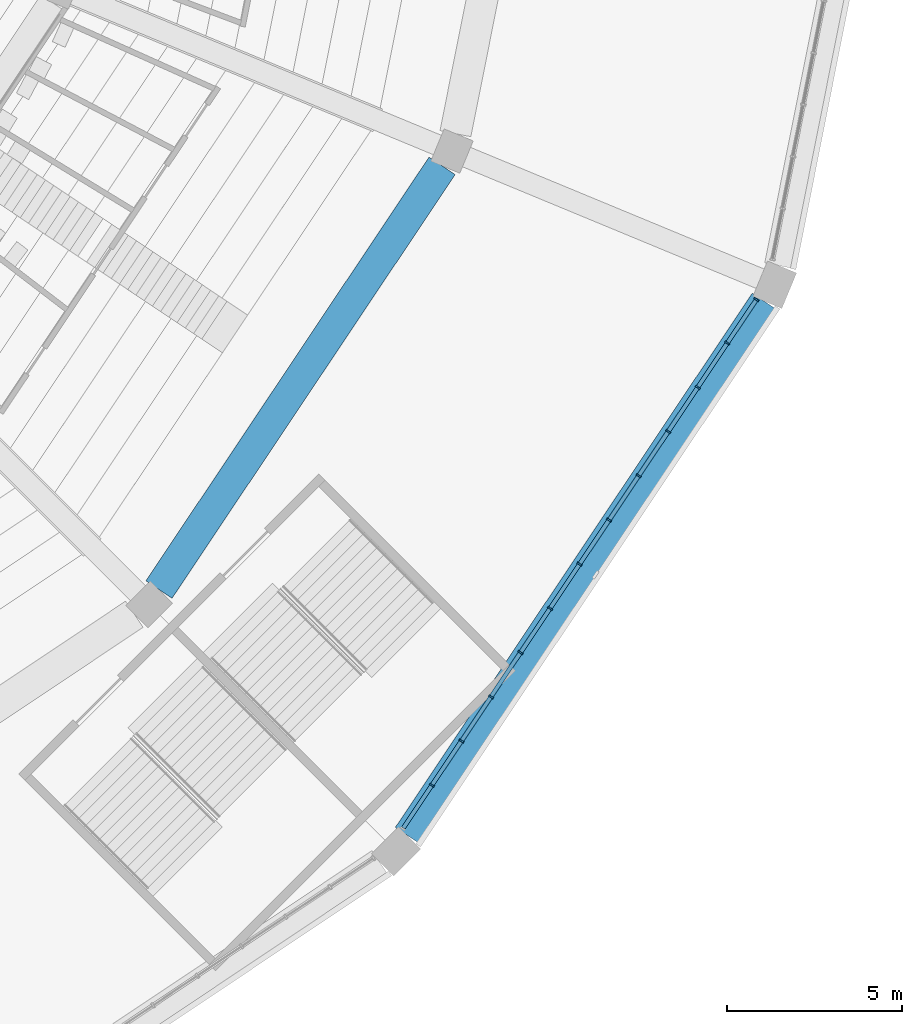
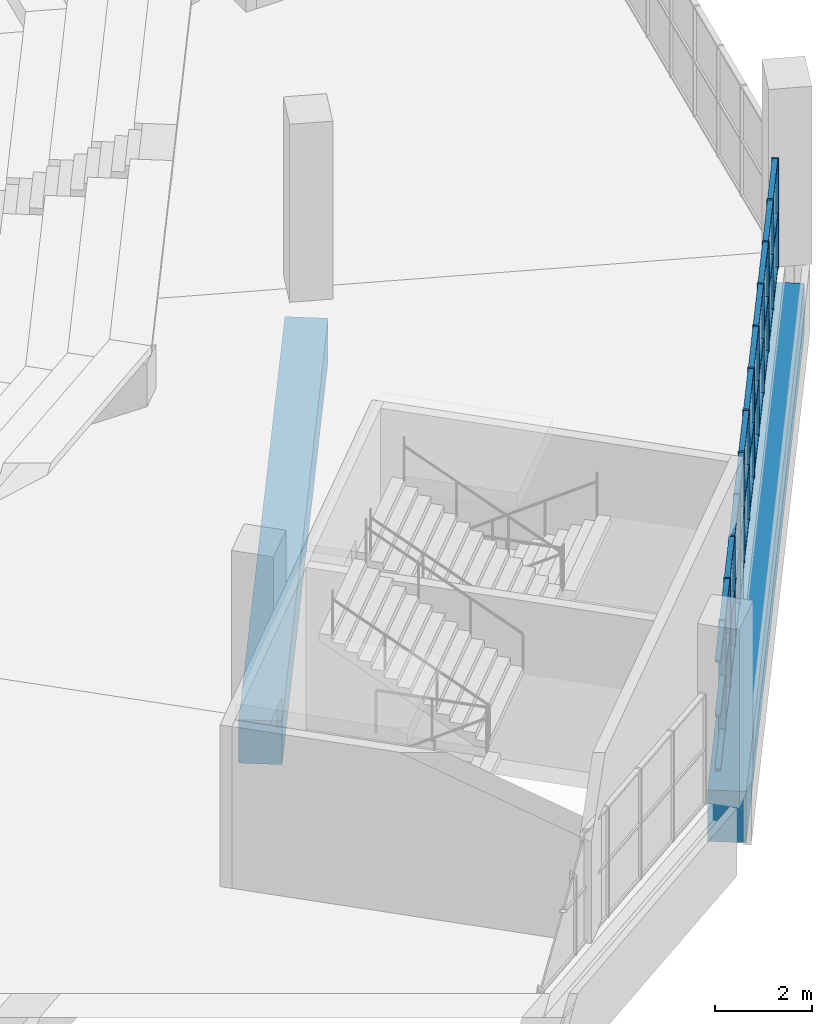
# One storey, part 29 of 249: 48 members, 2 beams, 1 element without a shape of its own.
"""IFC4 building model written with IfcOpenShell, lengths in metres."""

from ifc_helpers import new_model, si_unit, direction, frame, origin, origin_2d, place, context, subcontext, project, spatial, rectangle, extrude, material, material_profile, profile_set, type_object, element, aggregate, save


model = new_model("IFC4")

# Units and contexts
model_context = context("Model", 3, precision=1e-05, world=origin(), true_north=direction((0.0, 1.0)))
body_context = subcontext(model_context, "Body", "Model", "MODEL_VIEW")
ifc_project = project(units=[si_unit("LENGTHUNIT", "METRE"), si_unit("AREAUNIT", "SQUARE_METRE"), si_unit("VOLUMEUNIT", "CUBIC_METRE"), si_unit("PLANEANGLEUNIT", "RADIAN"), si_unit("MASSUNIT", "GRAM", prefix="KILO")], contexts=[model_context])

# Site, building, storey
site_placement = place(None, origin())
site = spatial("IfcSite", under=ifc_project, at=site_placement, CompositionType="ELEMENT")
building_placement = place(site_placement, origin())
building = spatial("IfcBuilding", under=site, at=building_placement, Name="Ogive Plaza Stadium", CompositionType="ELEMENT")
storey_placement = place(building_placement, frame((0.0, 0.0, 13.5)))
storey = spatial("IfcBuildingStorey", under=building, at=storey_placement, Name="L03", CompositionType="ELEMENT", Elevation=13.5)

# Curtain wall, members
ifc_material_1 = material(Name="Bronze-anodised aluminium with laminated glass", Category="aluminium")
curtain_wall_type = type_object("IfcCurtainWallType", Name="Lancet curtain wall", PredefinedType="NOTDEFINED", material=ifc_material_1)
curtain_wall_placement = place(storey_placement, origin())
curtain_wall = element("IfcCurtainWall", 1, at=curtain_wall_placement, inside=storey, type_object=curtain_wall_type, Name="CURTAIN WALL B09 L03", PredefinedType="NOTDEFINED")
ifc_material_2 = material(Name="Bronze-anodised aluminium", Category="aluminium")
ifc_material_profile_1 = material_profile(ifc_material_2, rectangle(XDim=0.14990234375, YDim=0.050048828125, at=origin_2d()), Name="AL 150x50")
ifc_profile_set_1 = profile_set([ifc_material_profile_1], Name="Bronze-anodised aluminium")
member_type_1 = type_object("IfcMemberType", Name="Curtain wall mullion 50x150", PredefinedType="MULLION", material=ifc_profile_set_1)
member_1_placement = place(storey_placement, frame((79.669189453125, -72.059814453125, 0.0), z_axis=(0.0, 0.0, 1.0), x_axis=(0.831469612303, -0.55557023302, 0.0)))
member_1 = element("IfcMember", 2, at=member_1_placement, type_object=member_type_1, Name="CW-B09-L03 mullion 1", PredefinedType="MULLION", context=body_context, shape_type="SweptSolid", body=[
    extrude(rectangle(XDim=0.14990234375, YDim=0.050048828125, at=origin_2d()), origin(), (0.0, 0.0, 1.0), 2.7900390625),
])
member_2_placement = place(storey_placement, frame((78.837158203125, -73.3046875, 0.0), z_axis=(0.0, 0.0, 1.0), x_axis=(0.831469612303, -0.55557023302, 0.0)))
member_2 = element("IfcMember", 3, at=member_2_placement, type_object=member_type_1, Name="CW-B09-L03 mullion 2", PredefinedType="MULLION", context=body_context, shape_type="SweptSolid", body=[
    extrude(rectangle(XDim=0.14990234375, YDim=0.050048828125, at=origin_2d()), origin(), (0.0, 0.0, 1.0), 2.7900390625),
])
member_3_placement = place(storey_placement, frame((77.991455078125, -74.570556640625, 0.0), z_axis=(0.0, 0.0, 1.0), x_axis=(0.831469612303, -0.55557023302, 0.0)))
member_3 = element("IfcMember", 4, at=member_3_placement, type_object=member_type_1, Name="CW-B09-L03 mullion 3", PredefinedType="MULLION", context=body_context, shape_type="SweptSolid", body=[
    extrude(rectangle(XDim=0.14990234375, YDim=0.050048828125, at=origin_2d()), origin(), (0.0, 0.0, 1.0), 2.7900390625),
])
member_4_placement = place(storey_placement, frame((77.145751953125, -75.836181640625, 0.0), z_axis=(0.0, 0.0, 1.0), x_axis=(0.831469612303, -0.55557023302, 0.0)))
member_4 = element("IfcMember", 5, at=member_4_placement, type_object=member_type_1, Name="CW-B09-L03 mullion 4", PredefinedType="MULLION", context=body_context, shape_type="SweptSolid", body=[
    extrude(rectangle(XDim=0.14990234375, YDim=0.050048828125, at=origin_2d()), origin(), (0.0, 0.0, 1.0), 2.7900390625),
])
member_5_placement = place(storey_placement, frame((76.2998046875, -77.10205078125, 0.0), z_axis=(0.0, 0.0, 1.0), x_axis=(0.831469612303, -0.55557023302, 0.0)))
member_5 = element("IfcMember", 6, at=member_5_placement, type_object=member_type_1, Name="CW-B09-L03 mullion 5", PredefinedType="MULLION", context=body_context, shape_type="SweptSolid", body=[
    extrude(rectangle(XDim=0.14990234375, YDim=0.050048828125, at=origin_2d()), origin(), (0.0, 0.0, 1.0), 2.7900390625),
])
member_6_placement = place(storey_placement, frame((75.4541015625, -78.367919921875, 0.0), z_axis=(0.0, 0.0, 1.0), x_axis=(0.831469612303, -0.55557023302, 0.0)))
member_6 = element("IfcMember", 7, at=member_6_placement, type_object=member_type_1, Name="CW-B09-L03 mullion 6", PredefinedType="MULLION", context=body_context, shape_type="SweptSolid", body=[
    extrude(rectangle(XDim=0.14990234375, YDim=0.050048828125, at=origin_2d()), origin(), (0.0, 0.0, 1.0), 2.7900390625),
])
member_7_placement = place(storey_placement, frame((74.6083984375, -79.633544921875, 0.0), z_axis=(0.0, 0.0, 1.0), x_axis=(0.831469612303, -0.55557023302, 0.0)))
member_7 = element("IfcMember", 8, at=member_7_placement, type_object=member_type_1, Name="CW-B09-L03 mullion 7", PredefinedType="MULLION", context=body_context, shape_type="SweptSolid", body=[
    extrude(rectangle(XDim=0.14990234375, YDim=0.050048828125, at=origin_2d()), origin(), (0.0, 0.0, 1.0), 2.7900390625),
])
member_8_placement = place(storey_placement, frame((73.7626953125, -80.8994140625, 0.0), z_axis=(0.0, 0.0, 1.0), x_axis=(0.831469612303, -0.55557023302, 0.0)))
member_8 = element("IfcMember", 9, at=member_8_placement, type_object=member_type_1, Name="CW-B09-L03 mullion 8", PredefinedType="MULLION", context=body_context, shape_type="SweptSolid", body=[
    extrude(rectangle(XDim=0.14990234375, YDim=0.050048828125, at=origin_2d()), origin(), (0.0, 0.0, 1.0), 2.7900390625),
])
member_9_placement = place(storey_placement, frame((72.916748046875, -82.165283203125, 0.0), z_axis=(0.0, 0.0, 1.0), x_axis=(0.831469612303, -0.55557023302, 0.0)))
member_9 = element("IfcMember", 10, at=member_9_placement, type_object=member_type_1, Name="CW-B09-L03 mullion 9", PredefinedType="MULLION", context=body_context, shape_type="SweptSolid", body=[
    extrude(rectangle(XDim=0.14990234375, YDim=0.050048828125, at=origin_2d()), origin(), (0.0, 0.0, 1.0), 2.7900390625),
])
member_10_placement = place(storey_placement, frame((72.071044921875, -83.430908203125, 0.0), z_axis=(0.0, 0.0, 1.0), x_axis=(0.831469612303, -0.55557023302, 0.0)))
member_10 = element("IfcMember", 11, at=member_10_placement, type_object=member_type_1, Name="CW-B09-L03 mullion 10", PredefinedType="MULLION", context=body_context, shape_type="SweptSolid", body=[
    extrude(rectangle(XDim=0.14990234375, YDim=0.050048828125, at=origin_2d()), origin(), (0.0, 0.0, 1.0), 2.7900390625),
])
member_11_placement = place(storey_placement, frame((71.225341796875, -84.69677734375, 0.0), z_axis=(0.0, 0.0, 1.0), x_axis=(0.831469612303, -0.55557023302, 0.0)))
member_11 = element("IfcMember", 12, at=member_11_placement, type_object=member_type_1, Name="CW-B09-L03 mullion 11", PredefinedType="MULLION", context=body_context, shape_type="SweptSolid", body=[
    extrude(rectangle(XDim=0.14990234375, YDim=0.050048828125, at=origin_2d()), origin(), (0.0, 0.0, 1.0), 2.7900390625),
])
member_12_placement = place(storey_placement, frame((70.379638671875, -85.962646484375, 0.0), z_axis=(0.0, 0.0, 1.0), x_axis=(0.831469612303, -0.55557023302, 0.0)))
member_12 = element("IfcMember", 13, at=member_12_placement, type_object=member_type_1, Name="CW-B09-L03 mullion 12", PredefinedType="MULLION", context=body_context, shape_type="SweptSolid", body=[
    extrude(rectangle(XDim=0.14990234375, YDim=0.050048828125, at=origin_2d()), origin(), (0.0, 0.0, 1.0), 2.7900390625),
])
ifc_material_3 = material(Name="Bronze-anodised aluminium", Category="aluminium")
ifc_material_profile_2 = material_profile(ifc_material_3, rectangle(XDim=0.1201171875, YDim=0.050048828125, at=origin_2d()), Name="AL 120x50")
ifc_profile_set_2 = profile_set([ifc_material_profile_2], Name="Bronze-anodised aluminium")
member_type_2 = type_object("IfcMemberType", Name="Curtain wall transom 50x120", PredefinedType="USERDEFINED", material=ifc_profile_set_2)
member_13_placement = place(storey_placement, frame((79.6552734375, -72.08056640625, 0.02490234375), z_axis=(-0.555634077892, -0.831426948977, 0.0), x_axis=(0.831426948977, -0.555634077892, 0.0)))
member_13 = element("IfcMember", 14, at=member_13_placement, type_object=member_type_2, Name="CW-B09-L03 transom 1.1", ObjectType="TRANSOM", PredefinedType="USERDEFINED", context=body_context, shape_type="SweptSolid", body=[
    extrude(rectangle(XDim=0.1201171875, YDim=0.050048828125, at=origin_2d()), origin(), (0.0, 0.0, 1.0), 1.447265625),
])
member_14_placement = place(storey_placement, frame((79.6552734375, -72.08056640625, 1.39501953125), z_axis=(-0.555634077892, -0.831426948977, 0.0), x_axis=(0.831426948977, -0.555634077892, 0.0)))
member_14 = element("IfcMember", 15, at=member_14_placement, type_object=member_type_2, Name="CW-B09-L03 transom 1.2", ObjectType="TRANSOM", PredefinedType="USERDEFINED", context=body_context, shape_type="SweptSolid", body=[
    extrude(rectangle(XDim=0.1201171875, YDim=0.050048828125, at=origin_2d()), origin(), (0.0, 0.0, 1.0), 1.447265625),
])
member_15_placement = place(storey_placement, frame((79.6552734375, -72.08056640625, 2.764892578125), z_axis=(-0.555634077892, -0.831426948977, 0.0), x_axis=(0.831426948977, -0.555634077892, 0.0)))
member_15 = element("IfcMember", 16, at=member_15_placement, type_object=member_type_2, Name="CW-B09-L03 transom 1.3", ObjectType="TRANSOM", PredefinedType="USERDEFINED", context=body_context, shape_type="SweptSolid", body=[
    extrude(rectangle(XDim=0.1201171875, YDim=0.050048828125, at=origin_2d()), origin(), (0.0, 0.0, 1.0), 1.447265625),
])
member_16_placement = place(storey_placement, frame((78.8232421875, -73.325439453125, 0.02490234375), z_axis=(-0.555465240925, -0.83153975619, 0.0), x_axis=(0.83153975619, -0.555465240925, 0.0)))
member_16 = element("IfcMember", 17, at=member_16_placement, type_object=member_type_2, Name="CW-B09-L03 transom 2.1", ObjectType="TRANSOM", PredefinedType="USERDEFINED", context=body_context, shape_type="SweptSolid", body=[
    extrude(rectangle(XDim=0.1201171875, YDim=0.050048828125, at=origin_2d()), origin(), (0.0, 0.0, 1.0), 1.472412109375),
])
member_17_placement = place(storey_placement, frame((78.8232421875, -73.325439453125, 1.39501953125), z_axis=(-0.555465240925, -0.83153975619, 0.0), x_axis=(0.83153975619, -0.555465240925, 0.0)))
member_17 = element("IfcMember", 18, at=member_17_placement, type_object=member_type_2, Name="CW-B09-L03 transom 2.2", ObjectType="TRANSOM", PredefinedType="USERDEFINED", context=body_context, shape_type="SweptSolid", body=[
    extrude(rectangle(XDim=0.1201171875, YDim=0.050048828125, at=origin_2d()), origin(), (0.0, 0.0, 1.0), 1.472412109375),
])
member_18_placement = place(storey_placement, frame((78.8232421875, -73.325439453125, 2.764892578125), z_axis=(-0.555465240925, -0.83153975619, 0.0), x_axis=(0.83153975619, -0.555465240925, 0.0)))
member_18 = element("IfcMember", 19, at=member_18_placement, type_object=member_type_2, Name="CW-B09-L03 transom 2.3", ObjectType="TRANSOM", PredefinedType="USERDEFINED", context=body_context, shape_type="SweptSolid", body=[
    extrude(rectangle(XDim=0.1201171875, YDim=0.050048828125, at=origin_2d()), origin(), (0.0, 0.0, 1.0), 1.472412109375),
])
member_19_placement = place(storey_placement, frame((77.9775390625, -74.59130859375, 0.02490234375), z_axis=(-0.555541835587, -0.831488586159, 0.0), x_axis=(0.831488586159, -0.555541835587, 0.0)))
member_19 = element("IfcMember", 20, at=member_19_placement, type_object=member_type_2, Name="CW-B09-L03 transom 3.1", ObjectType="TRANSOM", PredefinedType="USERDEFINED", context=body_context, shape_type="SweptSolid", body=[
    extrude(rectangle(XDim=0.1201171875, YDim=0.050048828125, at=origin_2d()), origin(), (0.0, 0.0, 1.0), 1.47216796875),
])
member_20_placement = place(storey_placement, frame((77.9775390625, -74.59130859375, 1.39501953125), z_axis=(-0.555541835587, -0.831488586159, 0.0), x_axis=(0.831488586159, -0.555541835587, 0.0)))
member_20 = element("IfcMember", 21, at=member_20_placement, type_object=member_type_2, Name="CW-B09-L03 transom 3.2", ObjectType="TRANSOM", PredefinedType="USERDEFINED", context=body_context, shape_type="SweptSolid", body=[
    extrude(rectangle(XDim=0.1201171875, YDim=0.050048828125, at=origin_2d()), origin(), (0.0, 0.0, 1.0), 1.47216796875),
])
member_21_placement = place(storey_placement, frame((77.9775390625, -74.59130859375, 2.764892578125), z_axis=(-0.555541835587, -0.831488586159, 0.0), x_axis=(0.831488586159, -0.555541835587, 0.0)))
member_21 = element("IfcMember", 22, at=member_21_placement, type_object=member_type_2, Name="CW-B09-L03 transom 3.3", ObjectType="TRANSOM", PredefinedType="USERDEFINED", context=body_context, shape_type="SweptSolid", body=[
    extrude(rectangle(XDim=0.1201171875, YDim=0.050048828125, at=origin_2d()), origin(), (0.0, 0.0, 1.0), 1.47216796875),
])
member_22_placement = place(storey_placement, frame((77.1318359375, -75.857177734375, 0.02490234375), z_axis=(-0.555656472512, -0.831411982446, 0.0), x_axis=(0.831411982446, -0.555656472512, 0.0)))
member_22 = element("IfcMember", 23, at=member_22_placement, type_object=member_type_2, Name="CW-B09-L03 transom 4.1", ObjectType="TRANSOM", PredefinedType="USERDEFINED", context=body_context, shape_type="SweptSolid", body=[
    extrude(rectangle(XDim=0.1201171875, YDim=0.050048828125, at=origin_2d()), origin(), (0.0, 0.0, 1.0), 1.472412109375),
])
member_23_placement = place(storey_placement, frame((77.1318359375, -75.857177734375, 1.39501953125), z_axis=(-0.555656472512, -0.831411982446, 0.0), x_axis=(0.831411982446, -0.555656472512, 0.0)))
member_23 = element("IfcMember", 24, at=member_23_placement, type_object=member_type_2, Name="CW-B09-L03 transom 4.2", ObjectType="TRANSOM", PredefinedType="USERDEFINED", context=body_context, shape_type="SweptSolid", body=[
    extrude(rectangle(XDim=0.1201171875, YDim=0.050048828125, at=origin_2d()), origin(), (0.0, 0.0, 1.0), 1.472412109375),
])
member_24_placement = place(storey_placement, frame((77.1318359375, -75.857177734375, 2.764892578125), z_axis=(-0.555656472512, -0.831411982446, 0.0), x_axis=(0.831411982446, -0.555656472512, 0.0)))
member_24 = element("IfcMember", 25, at=member_24_placement, type_object=member_type_2, Name="CW-B09-L03 transom 4.3", ObjectType="TRANSOM", PredefinedType="USERDEFINED", context=body_context, shape_type="SweptSolid", body=[
    extrude(rectangle(XDim=0.1201171875, YDim=0.050048828125, at=origin_2d()), origin(), (0.0, 0.0, 1.0), 1.472412109375),
])
member_25_placement = place(storey_placement, frame((76.2861328125, -77.122802734375, 0.02490234375), z_axis=(-0.555579876157, -0.831463168883, 0.0), x_axis=(0.831463168883, -0.555579876157, 0.0)))
member_25 = element("IfcMember", 26, at=member_25_placement, type_object=member_type_2, Name="CW-B09-L03 transom 5.1", ObjectType="TRANSOM", PredefinedType="USERDEFINED", context=body_context, shape_type="SweptSolid", body=[
    extrude(rectangle(XDim=0.1201171875, YDim=0.050048828125, at=origin_2d()), origin(), (0.0, 0.0, 1.0), 1.47265625),
])
member_26_placement = place(storey_placement, frame((76.2861328125, -77.122802734375, 1.39501953125), z_axis=(-0.555579876157, -0.831463168883, 0.0), x_axis=(0.831463168883, -0.555579876157, 0.0)))
member_26 = element("IfcMember", 27, at=member_26_placement, type_object=member_type_2, Name="CW-B09-L03 transom 5.2", ObjectType="TRANSOM", PredefinedType="USERDEFINED", context=body_context, shape_type="SweptSolid", body=[
    extrude(rectangle(XDim=0.1201171875, YDim=0.050048828125, at=origin_2d()), origin(), (0.0, 0.0, 1.0), 1.47265625),
])
member_27_placement = place(storey_placement, frame((76.2861328125, -77.122802734375, 2.764892578125), z_axis=(-0.555579876157, -0.831463168883, 0.0), x_axis=(0.831463168883, -0.555579876157, 0.0)))
member_27 = element("IfcMember", 28, at=member_27_placement, type_object=member_type_2, Name="CW-B09-L03 transom 5.3", ObjectType="TRANSOM", PredefinedType="USERDEFINED", context=body_context, shape_type="SweptSolid", body=[
    extrude(rectangle(XDim=0.1201171875, YDim=0.050048828125, at=origin_2d()), origin(), (0.0, 0.0, 1.0), 1.47265625),
])
member_28_placement = place(storey_placement, frame((75.440185546875, -78.388671875, 0.02490234375), z_axis=(-0.555541835587, -0.831488586159, 0.0), x_axis=(0.831488586159, -0.555541835587, 0.0)))
member_28 = element("IfcMember", 29, at=member_28_placement, type_object=member_type_2, Name="CW-B09-L03 transom 6.1", ObjectType="TRANSOM", PredefinedType="USERDEFINED", context=body_context, shape_type="SweptSolid", body=[
    extrude(rectangle(XDim=0.1201171875, YDim=0.050048828125, at=origin_2d()), origin(), (0.0, 0.0, 1.0), 1.47216796875),
])
member_29_placement = place(storey_placement, frame((75.440185546875, -78.388671875, 1.39501953125), z_axis=(-0.555541835587, -0.831488586159, 0.0), x_axis=(0.831488586159, -0.555541835587, 0.0)))
member_29 = element("IfcMember", 30, at=member_29_placement, type_object=member_type_2, Name="CW-B09-L03 transom 6.2", ObjectType="TRANSOM", PredefinedType="USERDEFINED", context=body_context, shape_type="SweptSolid", body=[
    extrude(rectangle(XDim=0.1201171875, YDim=0.050048828125, at=origin_2d()), origin(), (0.0, 0.0, 1.0), 1.47216796875),
])
member_30_placement = place(storey_placement, frame((75.440185546875, -78.388671875, 2.764892578125), z_axis=(-0.555541835587, -0.831488586159, 0.0), x_axis=(0.831488586159, -0.555541835587, 0.0)))
member_30 = element("IfcMember", 31, at=member_30_placement, type_object=member_type_2, Name="CW-B09-L03 transom 6.3", ObjectType="TRANSOM", PredefinedType="USERDEFINED", context=body_context, shape_type="SweptSolid", body=[
    extrude(rectangle(XDim=0.1201171875, YDim=0.050048828125, at=origin_2d()), origin(), (0.0, 0.0, 1.0), 1.47216796875),
])
member_31_placement = place(storey_placement, frame((74.594482421875, -79.654541015625, 0.02490234375), z_axis=(-0.555656472512, -0.831411982446, 0.0), x_axis=(0.831411982446, -0.555656472512, 0.0)))
member_31 = element("IfcMember", 32, at=member_31_placement, type_object=member_type_2, Name="CW-B09-L03 transom 7.1", ObjectType="TRANSOM", PredefinedType="USERDEFINED", context=body_context, shape_type="SweptSolid", body=[
    extrude(rectangle(XDim=0.1201171875, YDim=0.050048828125, at=origin_2d()), origin(), (0.0, 0.0, 1.0), 1.472412109375),
])
member_32_placement = place(storey_placement, frame((74.594482421875, -79.654541015625, 1.39501953125), z_axis=(-0.555656472512, -0.831411982446, 0.0), x_axis=(0.831411982446, -0.555656472512, 0.0)))
member_32 = element("IfcMember", 33, at=member_32_placement, type_object=member_type_2, Name="CW-B09-L03 transom 7.2", ObjectType="TRANSOM", PredefinedType="USERDEFINED", context=body_context, shape_type="SweptSolid", body=[
    extrude(rectangle(XDim=0.1201171875, YDim=0.050048828125, at=origin_2d()), origin(), (0.0, 0.0, 1.0), 1.472412109375),
])
member_33_placement = place(storey_placement, frame((74.594482421875, -79.654541015625, 2.764892578125), z_axis=(-0.555656472512, -0.831411982446, 0.0), x_axis=(0.831411982446, -0.555656472512, 0.0)))
member_33 = element("IfcMember", 34, at=member_33_placement, type_object=member_type_2, Name="CW-B09-L03 transom 7.3", ObjectType="TRANSOM", PredefinedType="USERDEFINED", context=body_context, shape_type="SweptSolid", body=[
    extrude(rectangle(XDim=0.1201171875, YDim=0.050048828125, at=origin_2d()), origin(), (0.0, 0.0, 1.0), 1.472412109375),
])
member_34_placement = place(storey_placement, frame((73.748779296875, -80.920166015625, 0.02490234375), z_axis=(-0.555579876157, -0.831463168883, 0.0), x_axis=(0.831463168883, -0.555579876157, 0.0)))
member_34 = element("IfcMember", 35, at=member_34_placement, type_object=member_type_2, Name="CW-B09-L03 transom 8.1", ObjectType="TRANSOM", PredefinedType="USERDEFINED", context=body_context, shape_type="SweptSolid", body=[
    extrude(rectangle(XDim=0.1201171875, YDim=0.050048828125, at=origin_2d()), origin(), (0.0, 0.0, 1.0), 1.47265625),
])
member_35_placement = place(storey_placement, frame((73.748779296875, -80.920166015625, 1.39501953125), z_axis=(-0.555579876157, -0.831463168883, 0.0), x_axis=(0.831463168883, -0.555579876157, 0.0)))
member_35 = element("IfcMember", 36, at=member_35_placement, type_object=member_type_2, Name="CW-B09-L03 transom 8.2", ObjectType="TRANSOM", PredefinedType="USERDEFINED", context=body_context, shape_type="SweptSolid", body=[
    extrude(rectangle(XDim=0.1201171875, YDim=0.050048828125, at=origin_2d()), origin(), (0.0, 0.0, 1.0), 1.47265625),
])
member_36_placement = place(storey_placement, frame((73.748779296875, -80.920166015625, 2.764892578125), z_axis=(-0.555579876157, -0.831463168883, 0.0), x_axis=(0.831463168883, -0.555579876157, 0.0)))
member_36 = element("IfcMember", 37, at=member_36_placement, type_object=member_type_2, Name="CW-B09-L03 transom 8.3", ObjectType="TRANSOM", PredefinedType="USERDEFINED", context=body_context, shape_type="SweptSolid", body=[
    extrude(rectangle(XDim=0.1201171875, YDim=0.050048828125, at=origin_2d()), origin(), (0.0, 0.0, 1.0), 1.47265625),
])
member_37_placement = place(storey_placement, frame((72.90283203125, -82.18603515625, 0.02490234375), z_axis=(-0.555541835587, -0.831488586159, 0.0), x_axis=(0.831488586159, -0.555541835587, 0.0)))
member_37 = element("IfcMember", 38, at=member_37_placement, type_object=member_type_2, Name="CW-B09-L03 transom 9.1", ObjectType="TRANSOM", PredefinedType="USERDEFINED", context=body_context, shape_type="SweptSolid", body=[
    extrude(rectangle(XDim=0.1201171875, YDim=0.050048828125, at=origin_2d()), origin(), (0.0, 0.0, 1.0), 1.47216796875),
])
member_38_placement = place(storey_placement, frame((72.90283203125, -82.18603515625, 1.39501953125), z_axis=(-0.555541835587, -0.831488586159, 0.0), x_axis=(0.831488586159, -0.555541835587, 0.0)))
member_38 = element("IfcMember", 39, at=member_38_placement, type_object=member_type_2, Name="CW-B09-L03 transom 9.2", ObjectType="TRANSOM", PredefinedType="USERDEFINED", context=body_context, shape_type="SweptSolid", body=[
    extrude(rectangle(XDim=0.1201171875, YDim=0.050048828125, at=origin_2d()), origin(), (0.0, 0.0, 1.0), 1.47216796875),
])
member_39_placement = place(storey_placement, frame((72.90283203125, -82.18603515625, 2.764892578125), z_axis=(-0.555541835587, -0.831488586159, 0.0), x_axis=(0.831488586159, -0.555541835587, 0.0)))
member_39 = element("IfcMember", 40, at=member_39_placement, type_object=member_type_2, Name="CW-B09-L03 transom 9.3", ObjectType="TRANSOM", PredefinedType="USERDEFINED", context=body_context, shape_type="SweptSolid", body=[
    extrude(rectangle(XDim=0.1201171875, YDim=0.050048828125, at=origin_2d()), origin(), (0.0, 0.0, 1.0), 1.47216796875),
])
member_40_placement = place(storey_placement, frame((72.05712890625, -83.45166015625, 0.02490234375), z_axis=(-0.555465240925, -0.83153975619, 0.0), x_axis=(0.83153975619, -0.555465240925, 0.0)))
member_40 = element("IfcMember", 41, at=member_40_placement, type_object=member_type_2, Name="CW-B09-L03 transom 10.1", ObjectType="TRANSOM", PredefinedType="USERDEFINED", context=body_context, shape_type="SweptSolid", body=[
    extrude(rectangle(XDim=0.1201171875, YDim=0.050048828125, at=origin_2d()), origin(), (0.0, 0.0, 1.0), 1.472412109375),
])
member_41_placement = place(storey_placement, frame((72.05712890625, -83.45166015625, 1.39501953125), z_axis=(-0.555465240925, -0.83153975619, 0.0), x_axis=(0.83153975619, -0.555465240925, 0.0)))
member_41 = element("IfcMember", 42, at=member_41_placement, type_object=member_type_2, Name="CW-B09-L03 transom 10.2", ObjectType="TRANSOM", PredefinedType="USERDEFINED", context=body_context, shape_type="SweptSolid", body=[
    extrude(rectangle(XDim=0.1201171875, YDim=0.050048828125, at=origin_2d()), origin(), (0.0, 0.0, 1.0), 1.472412109375),
])
member_42_placement = place(storey_placement, frame((72.05712890625, -83.45166015625, 2.764892578125), z_axis=(-0.555465240925, -0.83153975619, 0.0), x_axis=(0.83153975619, -0.555465240925, 0.0)))
member_42 = element("IfcMember", 43, at=member_42_placement, type_object=member_type_2, Name="CW-B09-L03 transom 10.3", ObjectType="TRANSOM", PredefinedType="USERDEFINED", context=body_context, shape_type="SweptSolid", body=[
    extrude(rectangle(XDim=0.1201171875, YDim=0.050048828125, at=origin_2d()), origin(), (0.0, 0.0, 1.0), 1.472412109375),
])
member_43_placement = place(storey_placement, frame((71.21142578125, -84.717529296875, 0.02490234375), z_axis=(-0.555656472512, -0.831411982446, 0.0), x_axis=(0.831411982446, -0.555656472512, 0.0)))
member_43 = element("IfcMember", 44, at=member_43_placement, type_object=member_type_2, Name="CW-B09-L03 transom 11.1", ObjectType="TRANSOM", PredefinedType="USERDEFINED", context=body_context, shape_type="SweptSolid", body=[
    extrude(rectangle(XDim=0.1201171875, YDim=0.050048828125, at=origin_2d()), origin(), (0.0, 0.0, 1.0), 1.472412109375),
])
member_44_placement = place(storey_placement, frame((71.21142578125, -84.717529296875, 1.39501953125), z_axis=(-0.555656472512, -0.831411982446, 0.0), x_axis=(0.831411982446, -0.555656472512, 0.0)))
member_44 = element("IfcMember", 45, at=member_44_placement, type_object=member_type_2, Name="CW-B09-L03 transom 11.2", ObjectType="TRANSOM", PredefinedType="USERDEFINED", context=body_context, shape_type="SweptSolid", body=[
    extrude(rectangle(XDim=0.1201171875, YDim=0.050048828125, at=origin_2d()), origin(), (0.0, 0.0, 1.0), 1.472412109375),
])
member_45_placement = place(storey_placement, frame((71.21142578125, -84.717529296875, 2.764892578125), z_axis=(-0.555656472512, -0.831411982446, 0.0), x_axis=(0.831411982446, -0.555656472512, 0.0)))
member_45 = element("IfcMember", 46, at=member_45_placement, type_object=member_type_2, Name="CW-B09-L03 transom 11.3", ObjectType="TRANSOM", PredefinedType="USERDEFINED", context=body_context, shape_type="SweptSolid", body=[
    extrude(rectangle(XDim=0.1201171875, YDim=0.050048828125, at=origin_2d()), origin(), (0.0, 0.0, 1.0), 1.472412109375),
])
member_46_placement = place(storey_placement, frame((70.36572265625, -85.9833984375, 0.02490234375), z_axis=(-0.555634077892, -0.831426948977, 0.0), x_axis=(0.831426948977, -0.555634077892, 0.0)))
member_46 = element("IfcMember", 47, at=member_46_placement, type_object=member_type_2, Name="CW-B09-L03 transom 12.1", ObjectType="TRANSOM", PredefinedType="USERDEFINED", context=body_context, shape_type="SweptSolid", body=[
    extrude(rectangle(XDim=0.1201171875, YDim=0.050048828125, at=origin_2d()), origin(), (0.0, 0.0, 1.0), 1.447265625),
])
member_47_placement = place(storey_placement, frame((70.36572265625, -85.9833984375, 1.39501953125), z_axis=(-0.555634077892, -0.831426948977, 0.0), x_axis=(0.831426948977, -0.555634077892, 0.0)))
member_47 = element("IfcMember", 48, at=member_47_placement, type_object=member_type_2, Name="CW-B09-L03 transom 12.2", ObjectType="TRANSOM", PredefinedType="USERDEFINED", context=body_context, shape_type="SweptSolid", body=[
    extrude(rectangle(XDim=0.1201171875, YDim=0.050048828125, at=origin_2d()), origin(), (0.0, 0.0, 1.0), 1.447265625),
])
member_48_placement = place(storey_placement, frame((70.36572265625, -85.9833984375, 2.764892578125), z_axis=(-0.555634077892, -0.831426948977, 0.0), x_axis=(0.831426948977, -0.555634077892, 0.0)))
member_48 = element("IfcMember", 49, at=member_48_placement, type_object=member_type_2, Name="CW-B09-L03 transom 12.3", ObjectType="TRANSOM", PredefinedType="USERDEFINED", context=body_context, shape_type="SweptSolid", body=[
    extrude(rectangle(XDim=0.1201171875, YDim=0.050048828125, at=origin_2d()), origin(), (0.0, 0.0, 1.0), 1.447265625),
])
aggregate(curtain_wall, [member_1, member_2, member_3, member_4, member_5, member_6, member_7, member_8, member_9, member_10, member_11, member_12, member_13, member_14, member_15, member_16, member_17, member_18, member_19, member_20, member_21, member_22, member_23, member_24, member_25, member_26, member_27, member_28, member_29, member_30, member_31, member_32, member_33, member_34, member_35, member_36, member_37, member_38, member_39, member_40, member_41, member_42, member_43, member_44, member_45, member_46, member_47, member_48])

# Beams
ifc_material_4 = material(Name="Concrete C40/50", Category="concrete")
ifc_material_profile_3 = material_profile(ifc_material_4, rectangle(XDim=0.89990234375, YDim=1.10009765625, at=origin_2d()), Name="RC 900x1100")
ifc_profile_set_3 = profile_set([ifc_material_profile_3], Name="Concrete C40/50")
beam_type_1 = type_object("IfcBeamType", Name="RC ring beam 900x1100", PredefinedType="BEAM", material=ifc_profile_set_3)
beam_1_placement = place(storey_placement, frame((70.671875, -68.231201171875, -0.9599609375), z_axis=(-0.555572744827, -0.831467933961, 0.0), x_axis=(0.831467933961, -0.555572744827, 0.0)))
element("IfcBeam", 50, at=beam_1_placement, inside=storey, type_object=beam_type_1, Name="Ring beam F4 L03 B09", PredefinedType="BEAM", context=body_context, shape_type="SweptSolid", body=[
    extrude(rectangle(XDim=0.89990234375, YDim=1.10009765625, at=origin_2d()), origin(), (0.0, 0.0, 1.0), 14.587646484375),
])
ifc_material_5 = material(Name="Concrete C40/50", Category="concrete")
ifc_material_profile_4 = material_profile(ifc_material_5, rectangle(XDim=0.800048828125, YDim=1.300048828125, at=origin_2d()), Name="RC 800x1300")
ifc_profile_set_4 = profile_set([ifc_material_profile_4], Name="Concrete C40/50")
beam_type_2 = type_object("IfcBeamType", Name="RC spandrel beam 800x1300", PredefinedType="SPANDREL", material=ifc_profile_set_4)
beam_2_placement = place(storey_placement, frame((79.88232421875, -72.100341796875, -1.06005859375), z_axis=(-0.555557833169, -0.831477897484, 0.0), x_axis=(0.831477897484, -0.555557833169, 0.0)))
element("IfcBeam", 51, at=beam_2_placement, inside=storey, type_object=beam_type_2, Name="Ring beam F5 L03 B09", PredefinedType="SPANDREL", context=body_context, shape_type="SweptSolid", body=[
    extrude(rectangle(XDim=0.800048828125, YDim=1.300048828125, at=origin_2d()), origin(), (0.0, 0.0, 1.0), 18.387451171875),
])

save(model, "model.ifc")
